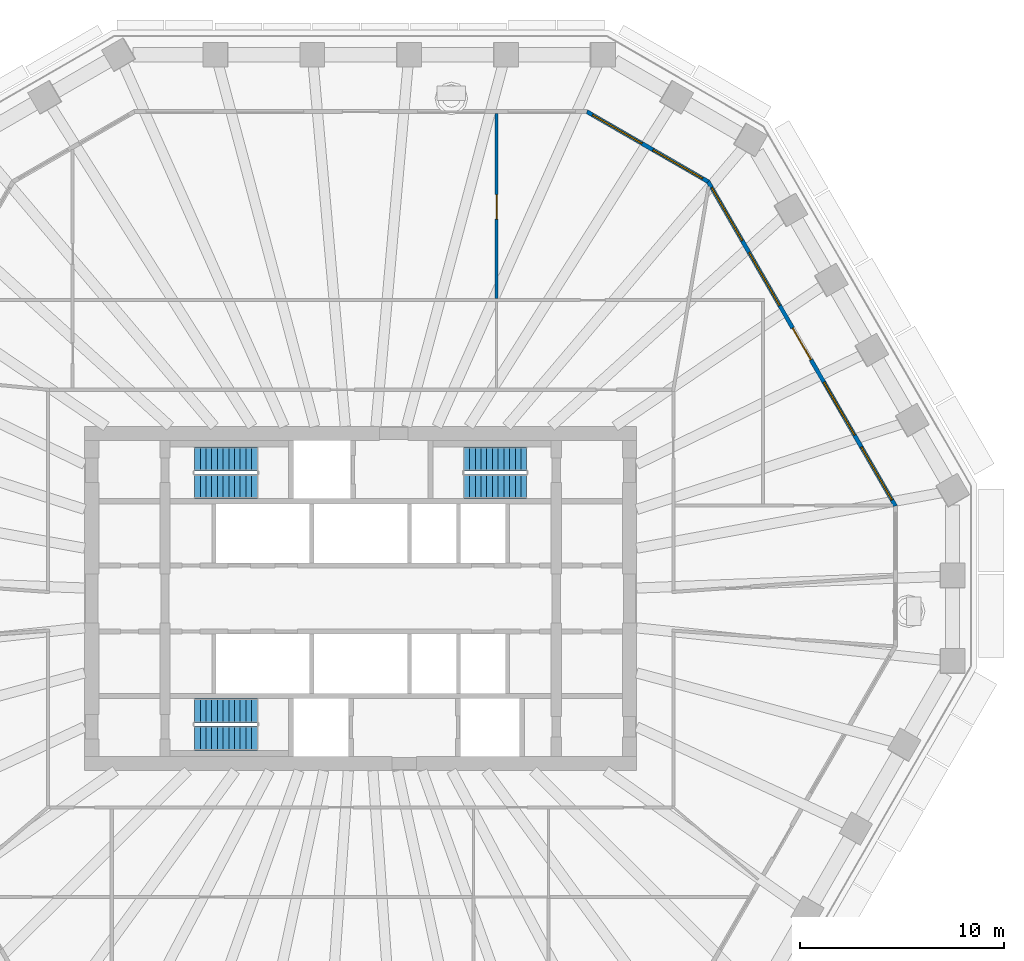
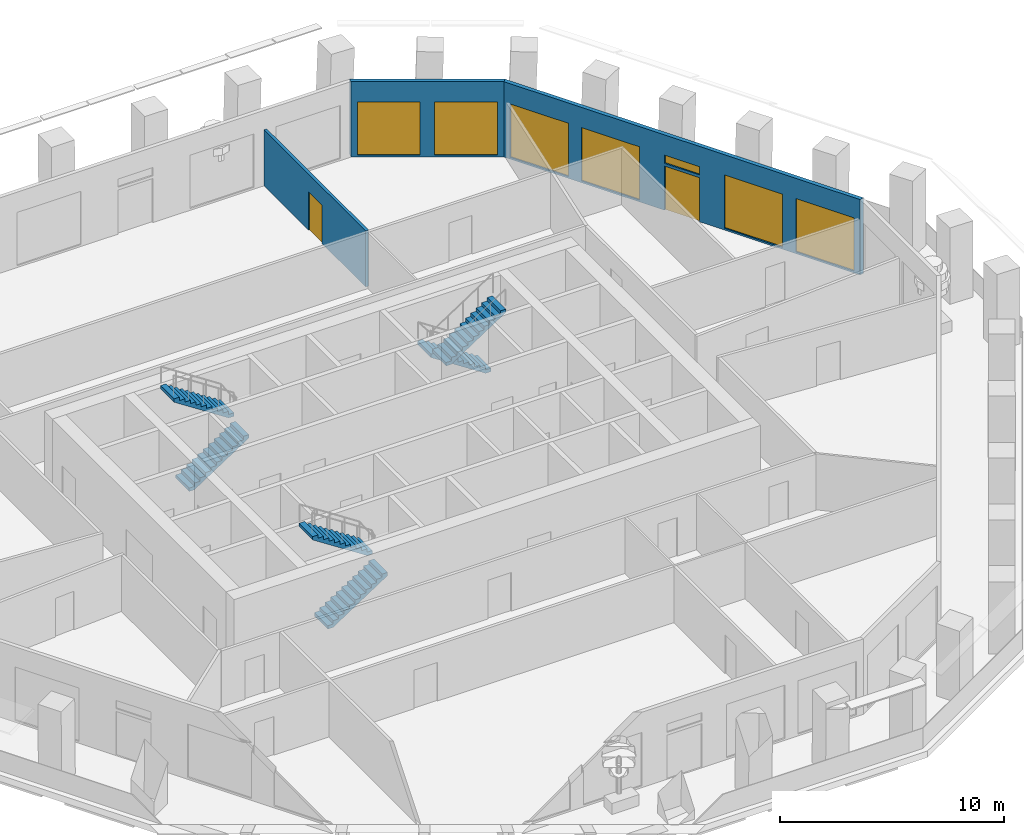
# One storey, part 8 of 12: 7 windows, 6 stair flights, 3 walls, 2 doors, 9 openings, 3 elements without a shape of their own.
"""IFC4 building model written with IfcOpenShell, lengths in metres."""

from ifc_helpers import new_model, si_unit, direction, frame, frame_2d, origin, place, context, subcontext, project, spatial, polyline, rectangle, outline, extrude, material, layer, layer_set, type_object, element, fill, aggregate, save


model = new_model("IFC4")

# Units and contexts
model_context = context("Model", 3, precision=1e-05, world=origin(), true_north=direction((0.0, 1.0)))
body_context = subcontext(model_context, "Body", "Model", "MODEL_VIEW")
ifc_project = project(units=[si_unit("LENGTHUNIT", "METRE"), si_unit("AREAUNIT", "SQUARE_METRE"), si_unit("VOLUMEUNIT", "CUBIC_METRE"), si_unit("PLANEANGLEUNIT", "RADIAN"), si_unit("MASSUNIT", "GRAM", prefix="KILO")], contexts=[model_context])

# Site, building, storey
site_placement = place(None, origin())
site = spatial("IfcSite", under=ifc_project, at=site_placement, CompositionType="ELEMENT")
building_placement = place(site_placement, origin())
building = spatial("IfcBuilding", under=site, at=building_placement, Name="Frailejon Research Tower", CompositionType="ELEMENT")
storey_placement = place(building_placement, frame((0.0, 0.0, 180.39990234375)))
storey = spatial("IfcBuildingStorey", under=building, at=storey_placement, Name="L39", CompositionType="ELEMENT", Elevation=180.39990234375)

# Wall, opening, door
ifc_material_1 = material(Name="Gypsum board and masonry partition", Category="masonry")
ifc_layer_1 = layer(ifc_material_1, 0.14990234375)
ifc_layer_set_1 = layer_set([ifc_layer_1], Name="Laboratory partition, blockwork 150")
wall_type_1 = type_object("IfcWallType", Name="Laboratory partition, blockwork 150", PredefinedType="PARTITIONING", material=ifc_layer_set_1)
wall_1_placement = place(storey_placement, frame((6.68017578125, 14.72509765625, 0.0), z_axis=(0.0, 0.0, 1.0), x_axis=(0.0, 1.0, 0.0)))
wall_1 = element("IfcWall", 1, at=wall_1_placement, inside=storey, type_object=wall_type_1, Name="T:IW:L39:015", PredefinedType="PARTITIONING", context=body_context, shape_type="SweptSolid", body=[
    extrude(rectangle(XDim=9.074951171875, YDim=0.14990234375, at=frame_2d((4.53759765625, 0.0))), origin(), (0.0, 0.0, 1.0), 3.050048828125),
])
opening_1_placement = place(wall_1_placement, frame((3.89990234375, 0.0, 0.0)))
opening_1 = element("IfcOpeningElement", 2, at=opening_1_placement, cuts=wall_1, Name="Opening D1848", PredefinedType="OPENING", context=body_context, shape_type="SweptSolid", body=[
    extrude(rectangle(XDim=1.199951171875, YDim=2.10009765625, at=frame_2d((0.60009765625, 1.050048828125))), frame((0.0, 0.0849609375, 0.0), z_axis=(0.0, -1.0, 0.0), x_axis=(1.0, 0.0, 0.0)), (0.0, 0.0, 1.0), 0.169921875),
])
ifc_material_2 = material(Name="Timber door leaf", Category="wood")
door_type_1 = type_object("IfcDoorType", Name="Door laboratory, timber, vision panel 1200", OperationType="NOTDEFINED", PredefinedType="DOOR", material=ifc_material_2)
door_1_placement = place(opening_1_placement, origin())
door_1 = element("IfcDoor", 3, at=door_1_placement, inside=storey, type_object=door_type_1, Name="D1848", OperationType="DOUBLE_DOOR_SINGLE_SWING", OverallHeight=2.10009765625, OverallWidth=1.199951171875, PredefinedType="DOOR", context=body_context, shape_type="SweptSolid", body=[
    extrude(rectangle(XDim=1.199951171875, YDim=2.10009765625, at=frame_2d((0.60009765625, 1.050048828125))), frame((0.0, 0.02490234375, 0.0), z_axis=(0.0, -1.0, 0.0), x_axis=(1.0, 0.0, 0.0)), (0.0, 0.0, 1.0), 0.050048828125),
])
fill(opening_1, door_1)

# Wall, openings, door, windows
ifc_material_3 = material(Name="Concrete C40/50 precast window wall panel", Category="concrete")
ifc_layer_2 = layer(ifc_material_3, 0.199951171875)
ifc_layer_set_2 = layer_set([ifc_layer_2], Name="Window wall 200")
wall_type_2 = type_object("IfcWallType", Name="Window wall 200", PredefinedType="SOLIDWALL", material=ifc_layer_set_2)
wall_2_placement = place(storey_placement, frame((26.25146484375, 4.54345703125, 0.0), z_axis=(0.0, 0.0, 1.0), x_axis=(-0.499998761798, 0.866026118659, 0.0)))
wall_2 = element("IfcWall", 4, at=wall_2_placement, inside=storey, type_object=wall_type_2, Name="Exterior wall L39", PredefinedType="SOLIDWALL", context=body_context, shape_type="SweptSolid", body=[
    extrude(outline(polyline([(-0.02685546875, -0.10009765625), (0.997314453125, -0.10009765625), (2.021484375, -0.10009765625), (3.045654296875, -0.10009765625), (4.06982421875, -0.10009765625), (5.09423828125, -0.10009765625), (6.118408203125, -0.10009765625), (7.142578125, -0.10009765625), (8.166748046875, -0.10009765625), (9.19091796875, -0.10009765625), (10.215087890625, -0.10009765625), (11.2392578125, -0.10009765625), (12.263427734375, -0.10009765625), (13.28759765625, -0.10009765625), (14.31201171875, -0.10009765625), (15.336181640625, -0.10009765625), (16.3603515625, -0.10009765625), (17.384521484375, -0.10009765625), (18.40869140625, -0.10009765625), (18.35498046875, 0.10009765625), (17.336669921875, 0.10009765625), (16.318603515625, 0.10009765625), (15.30029296875, 0.10009765625), (14.281982421875, 0.10009765625), (13.263916015625, 0.10009765625), (12.24560546875, 0.10009765625), (11.227294921875, 0.10009765625), (10.209228515625, 0.10009765625), (9.19091796875, 0.10009765625), (8.172607421875, 0.10009765625), (7.154541015625, 0.10009765625), (6.13623046875, 0.10009765625), (5.117919921875, 0.10009765625), (4.099853515625, 0.10009765625), (3.08154296875, 0.10009765625), (2.063232421875, 0.10009765625), (1.045166015625, 0.10009765625), (0.02685546875, 0.10009765625), (-0.02685546875, -0.10009765625)])), origin(), (0.0, 0.0, 1.0), 4.10009765625),
])
opening_2_placement = place(wall_2_placement, frame((0.338134765625, 0.0, 0.10009765625)))
opening_2 = element("IfcOpeningElement", 5, at=opening_2_placement, cuts=wall_2, Name="Opening W4", PredefinedType="OPENING", context=body_context, shape_type="SweptSolid", body=[
    extrude(rectangle(XDim=3.0, YDim=2.89990234375, at=frame_2d((1.5, 1.449951171875))), frame((0.0, 0.10986328125, 0.0), z_axis=(0.0, -1.0, 0.0), x_axis=(1.0, 0.0, 0.0)), (0.0, 0.0, 1.0), 0.219970703125),
])
opening_3_placement = place(wall_2_placement, frame((4.0146484375, 0.0, 0.10009765625)))
opening_3 = element("IfcOpeningElement", 6, at=opening_3_placement, cuts=wall_2, Name="Opening W4", PredefinedType="OPENING", context=body_context, shape_type="SweptSolid", body=[
    extrude(rectangle(XDim=3.0, YDim=2.89990234375, at=frame_2d((1.5, 1.449951171875))), frame((0.0, 0.10986328125, 0.0), z_axis=(0.0, -1.0, 0.0), x_axis=(1.0, 0.0, 0.0)), (0.0, 0.0, 1.0), 0.219970703125),
])
opening_4_placement = place(wall_2_placement, frame((8.291015625, 0.0, 0.0)))
opening_4 = element("IfcOpeningElement", 7, at=opening_4_placement, cuts=wall_2, Name="Opening LG39-1", PredefinedType="OPENING", context=body_context, shape_type="SweptSolid", body=[
    extrude(rectangle(XDim=1.800048828125, YDim=2.39990234375, at=frame_2d((0.89990234375, 1.199951171875))), frame((0.0, 0.10986328125, 0.0), z_axis=(0.0, -1.0, 0.0), x_axis=(1.0, 0.0, 0.0)), (0.0, 0.0, 1.0), 0.219970703125),
])
opening_5_placement = place(wall_2_placement, frame((8.291015625, 0.0, 2.550048828125)))
opening_5 = element("IfcOpeningElement", 8, at=opening_5_placement, cuts=wall_2, Name="Opening W1", PredefinedType="OPENING", context=body_context, shape_type="SweptSolid", body=[
    extrude(rectangle(XDim=1.800048828125, YDim=0.449951171875, at=frame_2d((0.89990234375, 0.22509765625))), frame((0.0, 0.10986328125, 0.0), z_axis=(0.0, -1.0, 0.0), x_axis=(1.0, 0.0, 0.0)), (0.0, 0.0, 1.0), 0.219970703125),
])
opening_6_placement = place(wall_2_placement, frame((11.3671875, 0.0, 0.10009765625)))
opening_6 = element("IfcOpeningElement", 9, at=opening_6_placement, cuts=wall_2, Name="Opening W4", PredefinedType="OPENING", context=body_context, shape_type="SweptSolid", body=[
    extrude(rectangle(XDim=3.0, YDim=2.89990234375, at=frame_2d((1.5, 1.449951171875))), frame((0.0, 0.10986328125, 0.0), z_axis=(0.0, -1.0, 0.0), x_axis=(1.0, 0.0, 0.0)), (0.0, 0.0, 1.0), 0.219970703125),
])
opening_7_placement = place(wall_2_placement, frame((15.043701171875, 0.0, 0.10009765625)))
opening_7 = element("IfcOpeningElement", 10, at=opening_7_placement, cuts=wall_2, Name="Opening W4", PredefinedType="OPENING", context=body_context, shape_type="SweptSolid", body=[
    extrude(rectangle(XDim=3.0, YDim=2.89990234375, at=frame_2d((1.5, 1.449951171875))), frame((0.0, 0.10986328125, 0.0), z_axis=(0.0, -1.0, 0.0), x_axis=(1.0, 0.0, 0.0)), (0.0, 0.0, 1.0), 0.219970703125),
])
ifc_material_4 = material(Name="Aluminium framed glazed door leaf", Category="aluminium")
door_type_2 = type_object("IfcDoorType", Name="Loggia door 1800x2400", OperationType="DOUBLE_DOOR_SINGLE_SWING", PredefinedType="DOOR", material=ifc_material_4)
door_2_placement = place(opening_4_placement, origin())
door_2 = element("IfcDoor", 11, at=door_2_placement, inside=storey, type_object=door_type_2, Name="Door LG39-1", OperationType="DOUBLE_DOOR_SINGLE_SWING", OverallHeight=2.39990234375, OverallWidth=1.800048828125, PredefinedType="DOOR", context=body_context, shape_type="SweptSolid", body=[
    extrude(rectangle(XDim=1.800048828125, YDim=2.39990234375, at=frame_2d((0.89990234375, 1.199951171875))), frame((0.0, 0.02490234375, 0.0), z_axis=(0.0, -1.0, 0.0), x_axis=(1.0, 0.0, 0.0)), (0.0, 0.0, 1.0), 0.050048828125),
])
fill(opening_4, door_2)
ifc_material_5 = material(Name="Aluminium framed double glazing", Category="aluminium")
window_type_1 = type_object("IfcWindowType", Name="Window 1800x450", PartitioningType="SINGLE_PANEL", PredefinedType="WINDOW", material=ifc_material_5)
window_1_placement = place(opening_5_placement, origin())
window_1 = element("IfcWindow", 12, at=window_1_placement, inside=storey, type_object=window_type_1, Name="Window L39", OverallHeight=0.449951171875, OverallWidth=1.800048828125, PartitioningType="SINGLE_PANEL", PredefinedType="WINDOW", context=body_context, shape_type="SweptSolid", body=[
    extrude(rectangle(XDim=1.800048828125, YDim=0.449951171875, at=frame_2d((0.89990234375, 0.22509765625))), frame((0.0, 0.030029296875, 0.0), z_axis=(0.0, -1.0, 0.0), x_axis=(1.0, 0.0, 0.0)), (0.0, 0.0, 1.0), 0.06005859375),
])
fill(opening_5, window_1)
ifc_material_6 = material(Name="Aluminium framed double glazing", Category="aluminium")
window_type_2 = type_object("IfcWindowType", Name="Window 3000x2900", PartitioningType="SINGLE_PANEL", PredefinedType="WINDOW", material=ifc_material_6)
window_2_placement = place(opening_2_placement, origin())
window_2 = element("IfcWindow", 13, at=window_2_placement, inside=storey, type_object=window_type_2, Name="Window L39", OverallHeight=2.89990234375, OverallWidth=3.0, PartitioningType="SINGLE_PANEL", PredefinedType="WINDOW", context=body_context, shape_type="SweptSolid", body=[
    extrude(rectangle(XDim=3.0, YDim=2.89990234375, at=frame_2d((1.5, 1.449951171875))), frame((0.0, 0.030029296875, 0.0), z_axis=(0.0, -1.0, 0.0), x_axis=(1.0, 0.0, 0.0)), (0.0, 0.0, 1.0), 0.06005859375),
])
fill(opening_2, window_2)
window_3_placement = place(opening_3_placement, origin())
window_3 = element("IfcWindow", 14, at=window_3_placement, inside=storey, type_object=window_type_2, Name="Window L39", OverallHeight=2.89990234375, OverallWidth=3.0, PartitioningType="SINGLE_PANEL", PredefinedType="WINDOW", context=body_context, shape_type="SweptSolid", body=[
    extrude(rectangle(XDim=3.0, YDim=2.89990234375, at=frame_2d((1.5, 1.449951171875))), frame((0.0, 0.030029296875, 0.0), z_axis=(0.0, -1.0, 0.0), x_axis=(1.0, 0.0, 0.0)), (0.0, 0.0, 1.0), 0.06005859375),
])
fill(opening_3, window_3)
window_4_placement = place(opening_6_placement, origin())
window_4 = element("IfcWindow", 15, at=window_4_placement, inside=storey, type_object=window_type_2, Name="Window L39", OverallHeight=2.89990234375, OverallWidth=3.0, PartitioningType="SINGLE_PANEL", PredefinedType="WINDOW", context=body_context, shape_type="SweptSolid", body=[
    extrude(rectangle(XDim=3.0, YDim=2.89990234375, at=frame_2d((1.5, 1.449951171875))), frame((0.0, 0.030029296875, 0.0), z_axis=(0.0, -1.0, 0.0), x_axis=(1.0, 0.0, 0.0)), (0.0, 0.0, 1.0), 0.06005859375),
])
fill(opening_6, window_4)
window_5_placement = place(opening_7_placement, origin())
window_5 = element("IfcWindow", 16, at=window_5_placement, inside=storey, type_object=window_type_2, Name="Window L39", OverallHeight=2.89990234375, OverallWidth=3.0, PartitioningType="SINGLE_PANEL", PredefinedType="WINDOW", context=body_context, shape_type="SweptSolid", body=[
    extrude(rectangle(XDim=3.0, YDim=2.89990234375, at=frame_2d((1.5, 1.449951171875))), frame((0.0, 0.030029296875, 0.0), z_axis=(0.0, -1.0, 0.0), x_axis=(1.0, 0.0, 0.0)), (0.0, 0.0, 1.0), 0.06005859375),
])
fill(opening_7, window_5)

# Wall, openings, windows
wall_3_placement = place(storey_placement, frame((17.060546875, 20.462646484375, 0.0), z_axis=(0.0, 0.0, 1.0), x_axis=(-0.866029458321, 0.49999297727, 0.0)))
wall_3 = element("IfcWall", 17, at=wall_3_placement, inside=storey, type_object=wall_type_2, Name="Exterior wall L39", PredefinedType="SOLIDWALL", context=body_context, shape_type="SweptSolid", body=[
    extrude(outline(polyline([(-0.02685546875, -0.10009765625), (1.1279296875, -0.10009765625), (2.282470703125, -0.10009765625), (3.437255859375, -0.10009765625), (4.592041015625, -0.10009765625), (5.74658203125, -0.10009765625), (6.9013671875, -0.10009765625), (6.84765625, 0.10009765625), (5.7109375, 0.10009765625), (4.573974609375, 0.10009765625), (3.437255859375, 0.10009765625), (2.300537109375, 0.10009765625), (1.16357421875, 0.10009765625), (0.02685546875, 0.10009765625), (-0.02685546875, -0.10009765625)])), origin(), (0.0, 0.0, 1.0), 4.10009765625),
])
opening_8_placement = place(wall_3_placement, frame((0.318603515625, 0.0, 0.10009765625)))
opening_8 = element("IfcOpeningElement", 18, at=opening_8_placement, cuts=wall_3, Name="Opening W3", PredefinedType="OPENING", context=body_context, shape_type="SweptSolid", body=[
    extrude(rectangle(XDim=2.800048828125, YDim=2.89990234375, at=frame_2d((1.39990234375, 1.449951171875))), frame((0.0, 0.10986328125, 0.0), z_axis=(0.0, -1.0, 0.0), x_axis=(1.0, 0.0, 0.0)), (0.0, 0.0, 1.0), 0.219970703125),
])
opening_9_placement = place(wall_3_placement, frame((3.756103515625, 0.0, 0.10009765625)))
opening_9 = element("IfcOpeningElement", 19, at=opening_9_placement, cuts=wall_3, Name="Opening W3", PredefinedType="OPENING", context=body_context, shape_type="SweptSolid", body=[
    extrude(rectangle(XDim=2.800048828125, YDim=2.89990234375, at=frame_2d((1.39990234375, 1.449951171875))), frame((0.0, 0.10986328125, 0.0), z_axis=(0.0, -1.0, 0.0), x_axis=(1.0, 0.0, 0.0)), (0.0, 0.0, 1.0), 0.219970703125),
])
ifc_material_7 = material(Name="Aluminium framed double glazing", Category="aluminium")
window_type_3 = type_object("IfcWindowType", Name="Window 2800x2900", PartitioningType="SINGLE_PANEL", PredefinedType="WINDOW", material=ifc_material_7)
window_6_placement = place(opening_8_placement, origin())
window_6 = element("IfcWindow", 20, at=window_6_placement, inside=storey, type_object=window_type_3, Name="Window L39", OverallHeight=2.89990234375, OverallWidth=2.800048828125, PartitioningType="SINGLE_PANEL", PredefinedType="WINDOW", context=body_context, shape_type="SweptSolid", body=[
    extrude(rectangle(XDim=2.800048828125, YDim=2.89990234375, at=frame_2d((1.39990234375, 1.449951171875))), frame((0.0, 0.030029296875, 0.0), z_axis=(0.0, -1.0, 0.0), x_axis=(1.0, 0.0, 0.0)), (0.0, 0.0, 1.0), 0.06005859375),
])
fill(opening_8, window_6)
window_7_placement = place(opening_9_placement, origin())
window_7 = element("IfcWindow", 21, at=window_7_placement, inside=storey, type_object=window_type_3, Name="Window L39", OverallHeight=2.89990234375, OverallWidth=2.800048828125, PartitioningType="SINGLE_PANEL", PredefinedType="WINDOW", context=body_context, shape_type="SweptSolid", body=[
    extrude(rectangle(XDim=2.800048828125, YDim=2.89990234375, at=frame_2d((1.39990234375, 1.449951171875))), frame((0.0, 0.030029296875, 0.0), z_axis=(0.0, -1.0, 0.0), x_axis=(1.0, 0.0, 0.0)), (0.0, 0.0, 1.0), 0.06005859375),
])
fill(opening_9, window_7)

# Stair, stair flights
ifc_material_8 = material(Name="Concrete C50/60", Category="concrete")
stair_type = type_object("IfcStairType", Name="Exit stair 24 risers", PredefinedType="HALF_TURN_STAIR", material=ifc_material_8)
stair_1_placement = place(storey_placement, origin())
stair_1 = element("IfcStair", 22, at=stair_1_placement, inside=storey, type_object=stair_type, Name="L39 Exit stair ST1", PredefinedType="HALF_TURN_STAIR")
ifc_material_9 = material(Name="Concrete C50/60", Category="concrete")
ifc_layer_3 = layer(ifc_material_9, 0.14990234375)
ifc_layer_set_3 = layer_set([ifc_layer_3], Name="Stair flight 12 risers")
stair_flight_type = type_object("IfcStairFlightType", Name="Stair flight 12 risers", PredefinedType="STRAIGHT", material=ifc_layer_set_3)
stair_flight_1_placement = place(storey_placement, frame((-8.14990234375, 5.5, 0.0), z_axis=(0.0, 0.0, 1.0), x_axis=(1.0, 0.0, 0.0)))
stair_flight_1 = element("IfcStairFlight", 23, at=stair_flight_1_placement, type_object=stair_flight_type, Name="ST1 flight 1", NumberOfRisers=12, NumberOfTreads=11, PredefinedType="STRAIGHT", RiserHeight=0.183333333, TreadLength=0.28, context=body_context, shape_type="SweptSolid", body=[
    extrude(outline(polyline([(0.0, 0.0), (0.0, 0.183349609375), (0.280029296875, 0.183349609375), (0.280029296875, 0.36669921875), (0.56005859375, 0.36669921875), (0.56005859375, 0.550048828125), (0.840087890625, 0.550048828125), (0.840087890625, 0.7333984375), (1.1201171875, 0.7333984375), (1.1201171875, 0.916748046875), (1.39990234375, 0.916748046875), (1.39990234375, 1.10009765625), (1.679931640625, 1.10009765625), (1.679931640625, 1.283447265625), (1.9599609375, 1.283447265625), (1.9599609375, 1.466552734375), (2.239990234375, 1.466552734375), (2.239990234375, 1.64990234375), (2.52001953125, 1.64990234375), (2.52001953125, 1.833251953125), (2.800048828125, 1.833251953125), (2.800048828125, 2.0166015625), (3.080078125, 2.0166015625), (3.080078125, 2.199951171875), (3.080078125, 1.83740234375), (0.273681640625, 0.0), (0.0, 0.0)])), frame((0.0, 0.60009765625, 0.0), z_axis=(0.0, -1.0, 0.0), x_axis=(1.0, 0.0, 0.0)), (0.0, 0.0, 1.0), 1.199951171875),
])
stair_flight_2_placement = place(storey_placement, frame((-5.070068359375, 6.85009765625, 2.2001953125), z_axis=(0.0, 0.0, 1.0), x_axis=(-1.0, 0.0, 0.0)))
stair_flight_2 = element("IfcStairFlight", 24, at=stair_flight_2_placement, type_object=stair_flight_type, Name="ST1 flight 2", NumberOfRisers=12, NumberOfTreads=11, PredefinedType="STRAIGHT", RiserHeight=0.183333333, TreadLength=0.28, context=body_context, shape_type="SweptSolid", body=[
    extrude(outline(polyline([(0.0, 0.0), (0.0, 0.183349609375), (0.280029296875, 0.183349609375), (0.280029296875, 0.36669921875), (0.56005859375, 0.36669921875), (0.56005859375, 0.550048828125), (0.840087890625, 0.550048828125), (0.840087890625, 0.7333984375), (1.1201171875, 0.7333984375), (1.1201171875, 0.916748046875), (1.39990234375, 0.916748046875), (1.39990234375, 1.10009765625), (1.679931640625, 1.10009765625), (1.679931640625, 1.283447265625), (1.9599609375, 1.283447265625), (1.9599609375, 1.466552734375), (2.239990234375, 1.466552734375), (2.239990234375, 1.64990234375), (2.52001953125, 1.64990234375), (2.52001953125, 1.833251953125), (2.800048828125, 1.833251953125), (2.800048828125, 2.0166015625), (3.080078125, 2.0166015625), (3.080078125, 2.199951171875), (3.080078125, 1.83740234375), (0.273681640625, 0.0), (0.0, 0.0)])), frame((0.0, 0.60009765625, 0.0), z_axis=(0.0, -1.0, 0.0), x_axis=(1.0, 0.0, 0.0)), (0.0, 0.0, 1.0), 1.199951171875),
])
aggregate(stair_1, [stair_flight_1, stair_flight_2])

stair_2_placement = place(storey_placement, origin())
stair_2 = element("IfcStair", 25, at=stair_2_placement, inside=storey, type_object=stair_type, Name="L39 Exit stair ST2", PredefinedType="HALF_TURN_STAIR")
stair_flight_3_placement = place(storey_placement, frame((-8.14990234375, -6.85009765625, 0.0), z_axis=(0.0, 0.0, 1.0), x_axis=(1.0, 0.0, 0.0)))
stair_flight_3 = element("IfcStairFlight", 26, at=stair_flight_3_placement, type_object=stair_flight_type, Name="ST2 flight 1", NumberOfRisers=12, NumberOfTreads=11, PredefinedType="STRAIGHT", RiserHeight=0.183333333, TreadLength=0.28, context=body_context, shape_type="SweptSolid", body=[
    extrude(outline(polyline([(0.0, 0.0), (0.0, 0.183349609375), (0.280029296875, 0.183349609375), (0.280029296875, 0.36669921875), (0.56005859375, 0.36669921875), (0.56005859375, 0.550048828125), (0.840087890625, 0.550048828125), (0.840087890625, 0.7333984375), (1.1201171875, 0.7333984375), (1.1201171875, 0.916748046875), (1.39990234375, 0.916748046875), (1.39990234375, 1.10009765625), (1.679931640625, 1.10009765625), (1.679931640625, 1.283447265625), (1.9599609375, 1.283447265625), (1.9599609375, 1.466552734375), (2.239990234375, 1.466552734375), (2.239990234375, 1.64990234375), (2.52001953125, 1.64990234375), (2.52001953125, 1.833251953125), (2.800048828125, 1.833251953125), (2.800048828125, 2.0166015625), (3.080078125, 2.0166015625), (3.080078125, 2.199951171875), (3.080078125, 1.83740234375), (0.273681640625, 0.0), (0.0, 0.0)])), frame((0.0, 0.60009765625, 0.0), z_axis=(0.0, -1.0, 0.0), x_axis=(1.0, 0.0, 0.0)), (0.0, 0.0, 1.0), 1.199951171875),
])
stair_flight_4_placement = place(storey_placement, frame((-5.070068359375, -5.5, 2.2001953125), z_axis=(0.0, 0.0, 1.0), x_axis=(-1.0, 0.0, 0.0)))
stair_flight_4 = element("IfcStairFlight", 27, at=stair_flight_4_placement, type_object=stair_flight_type, Name="ST2 flight 2", NumberOfRisers=12, NumberOfTreads=11, PredefinedType="STRAIGHT", RiserHeight=0.183333333, TreadLength=0.28, context=body_context, shape_type="SweptSolid", body=[
    extrude(outline(polyline([(0.0, 0.0), (0.0, 0.183349609375), (0.280029296875, 0.183349609375), (0.280029296875, 0.36669921875), (0.56005859375, 0.36669921875), (0.56005859375, 0.550048828125), (0.840087890625, 0.550048828125), (0.840087890625, 0.7333984375), (1.1201171875, 0.7333984375), (1.1201171875, 0.916748046875), (1.39990234375, 0.916748046875), (1.39990234375, 1.10009765625), (1.679931640625, 1.10009765625), (1.679931640625, 1.283447265625), (1.9599609375, 1.283447265625), (1.9599609375, 1.466552734375), (2.239990234375, 1.466552734375), (2.239990234375, 1.64990234375), (2.52001953125, 1.64990234375), (2.52001953125, 1.833251953125), (2.800048828125, 1.833251953125), (2.800048828125, 2.0166015625), (3.080078125, 2.0166015625), (3.080078125, 2.199951171875), (3.080078125, 1.83740234375), (0.273681640625, 0.0), (0.0, 0.0)])), frame((0.0, 0.60009765625, 0.0), z_axis=(0.0, -1.0, 0.0), x_axis=(1.0, 0.0, 0.0)), (0.0, 0.0, 1.0), 1.199951171875),
])
aggregate(stair_2, [stair_flight_3, stair_flight_4])

stair_3_placement = place(storey_placement, origin())
stair_3 = element("IfcStair", 28, at=stair_3_placement, inside=storey, type_object=stair_type, Name="L39 Exit stair ST3", PredefinedType="HALF_TURN_STAIR")
stair_flight_5_placement = place(storey_placement, frame((8.14990234375, 6.85009765625, 0.0), z_axis=(0.0, 0.0, 1.0), x_axis=(-1.0, 0.0, 0.0)))
stair_flight_5 = element("IfcStairFlight", 29, at=stair_flight_5_placement, type_object=stair_flight_type, Name="ST3 flight 1", NumberOfRisers=12, NumberOfTreads=11, PredefinedType="STRAIGHT", RiserHeight=0.183333333, TreadLength=0.28, context=body_context, shape_type="SweptSolid", body=[
    extrude(outline(polyline([(0.0, 0.0), (0.0, 0.183349609375), (0.280029296875, 0.183349609375), (0.280029296875, 0.36669921875), (0.56005859375, 0.36669921875), (0.56005859375, 0.550048828125), (0.840087890625, 0.550048828125), (0.840087890625, 0.7333984375), (1.1201171875, 0.7333984375), (1.1201171875, 0.916748046875), (1.39990234375, 0.916748046875), (1.39990234375, 1.10009765625), (1.679931640625, 1.10009765625), (1.679931640625, 1.283447265625), (1.9599609375, 1.283447265625), (1.9599609375, 1.466552734375), (2.239990234375, 1.466552734375), (2.239990234375, 1.64990234375), (2.52001953125, 1.64990234375), (2.52001953125, 1.833251953125), (2.800048828125, 1.833251953125), (2.800048828125, 2.0166015625), (3.080078125, 2.0166015625), (3.080078125, 2.199951171875), (3.080078125, 1.83740234375), (0.273681640625, 0.0), (0.0, 0.0)])), frame((0.0, 0.60009765625, 0.0), z_axis=(0.0, -1.0, 0.0), x_axis=(1.0, 0.0, 0.0)), (0.0, 0.0, 1.0), 1.199951171875),
])
stair_flight_6_placement = place(storey_placement, frame((5.070068359375, 5.5, 2.2001953125), z_axis=(0.0, 0.0, 1.0), x_axis=(1.0, 0.0, 0.0)))
stair_flight_6 = element("IfcStairFlight", 30, at=stair_flight_6_placement, type_object=stair_flight_type, Name="ST3 flight 2", NumberOfRisers=12, NumberOfTreads=11, PredefinedType="STRAIGHT", RiserHeight=0.183333333, TreadLength=0.28, context=body_context, shape_type="SweptSolid", body=[
    extrude(outline(polyline([(0.0, 0.0), (0.0, 0.183349609375), (0.280029296875, 0.183349609375), (0.280029296875, 0.36669921875), (0.56005859375, 0.36669921875), (0.56005859375, 0.550048828125), (0.840087890625, 0.550048828125), (0.840087890625, 0.7333984375), (1.1201171875, 0.7333984375), (1.1201171875, 0.916748046875), (1.39990234375, 0.916748046875), (1.39990234375, 1.10009765625), (1.679931640625, 1.10009765625), (1.679931640625, 1.283447265625), (1.9599609375, 1.283447265625), (1.9599609375, 1.466552734375), (2.239990234375, 1.466552734375), (2.239990234375, 1.64990234375), (2.52001953125, 1.64990234375), (2.52001953125, 1.833251953125), (2.800048828125, 1.833251953125), (2.800048828125, 2.0166015625), (3.080078125, 2.0166015625), (3.080078125, 2.199951171875), (3.080078125, 1.83740234375), (0.273681640625, 0.0), (0.0, 0.0)])), frame((0.0, 0.60009765625, 0.0), z_axis=(0.0, -1.0, 0.0), x_axis=(1.0, 0.0, 0.0)), (0.0, 0.0, 1.0), 1.199951171875),
])
aggregate(stair_3, [stair_flight_5, stair_flight_6])

save(model, "model.ifc")
